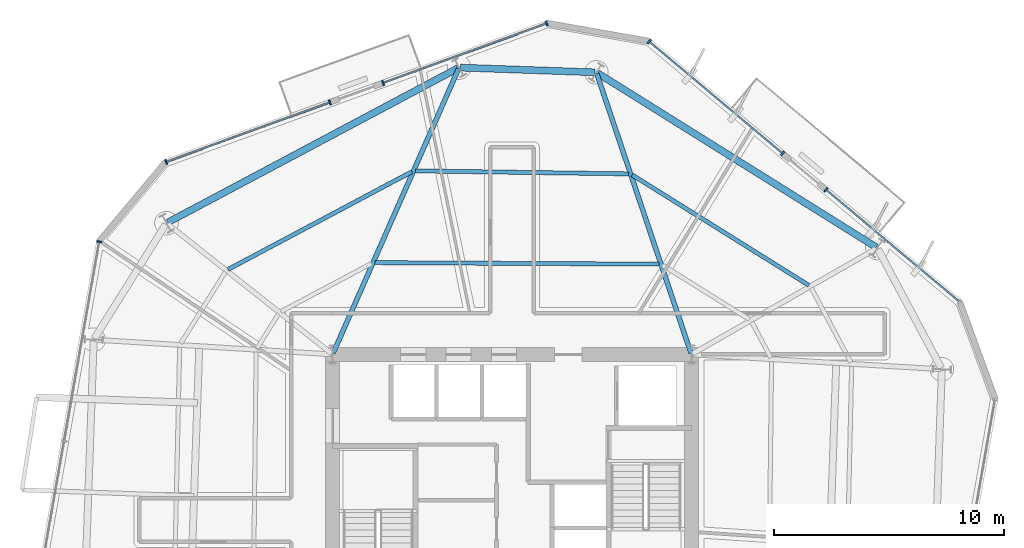
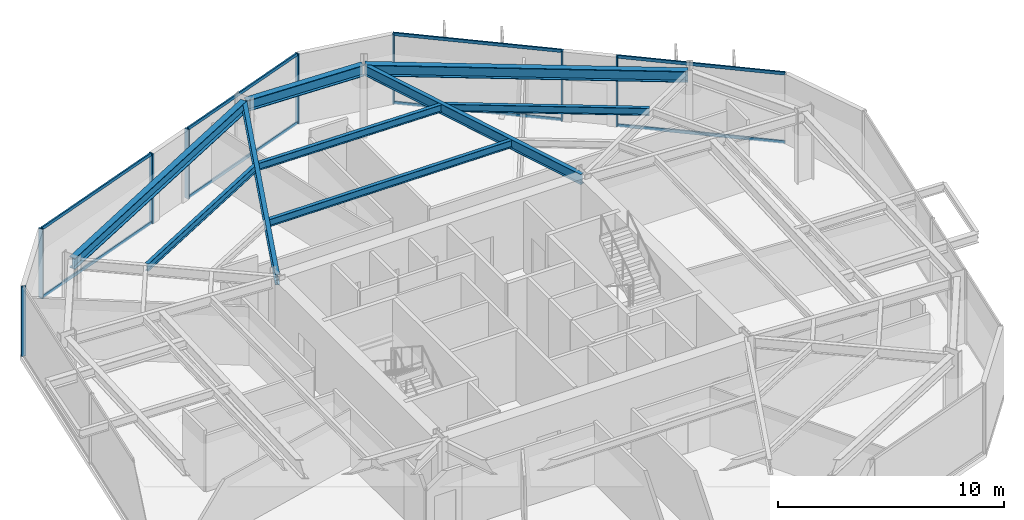
# One storey, part 5 of 13: 16 members, 9 beams, 5 elements without a shape of their own.
"""IFC4 building model written with IfcOpenShell, lengths in metres."""

import ifcopenshell
import ifcopenshell.guid

model = None  # the IFC model being written
_history = None  # IfcOwnerHistory: only IFC2X3 demands one
_inside = {}  # id of a spatial element -> (the spatial element, [elements in it])
_under = {}  # id of a project, library or spatial element -> (it, [spatial elements below it])
_declared = {}  # id of a project -> (the project, [libraries it declares])
_typed = {}  # id of a type object -> (the type object, [elements of that type])
_made_of = {}  # id of a material, layer set ... -> (it, [elements and type objects made of it])


def new_model(schema):
    """Start an empty IFC model of exactly this schema.

    Asked for "IFC4X3", IfcOpenShell would pick the latest addendum, in which some entities
    have other attributes; the version numbers below select the first issue.
    IFC2X3 requires an IfcOwnerHistory on every rooted entity: one is made here for all.
    """
    global model, _history
    if schema == "IFC4X3":
        model = ifcopenshell.file(schema_version=(4, 3, 0, 0))
    else:
        model = ifcopenshell.file(schema=schema)
    _inside.clear()
    _under.clear()
    _declared.clear()
    _typed.clear()
    _made_of.clear()
    _history = None
    if model.schema == "IFC2X3":
        org = make("IfcOrganization", Name="unknown")
        user = make(
            "IfcPersonAndOrganization",
            ThePerson=make("IfcPerson", FamilyName="unknown"),
            TheOrganization=org,
        )
        app = make(
            "IfcApplication",
            ApplicationDeveloper=org,
            Version="unknown",
            ApplicationFullName="unknown",
            ApplicationIdentifier="unknown",
        )
        _history = make(
            "IfcOwnerHistory",
            OwningUser=user,
            OwningApplication=app,
            ChangeAction="ADDED",
            CreationDate=0,
        )
    return model


def make(cls, **values):
    """One entity of the class cls with the attributes given. An attribute that is None is left unset."""
    return model.create_entity(
        cls, **{name: value for name, value in values.items() if value is not None}
    )


def rooted(cls, **values):
    """An entity with a GlobalId (a new one), such as an element, a storey or a relation."""
    return make(cls, GlobalId=ifcopenshell.guid.new(), OwnerHistory=_history, **values)


def si_unit(unit_type, name, prefix=None):
    """IfcSIUnit, for example si_unit("LENGTHUNIT", "METRE", prefix="MILLI")."""
    return make("IfcSIUnit", UnitType=unit_type, Prefix=prefix, Name=name)


def assignment(units):
    """IfcUnitAssignment: the units of a project."""
    return None if units is None else make("IfcUnitAssignment", Units=units)


def point(xyz):
    """IfcCartesianPoint."""
    return None if xyz is None else make("IfcCartesianPoint", Coordinates=xyz)


def direction(xyz):
    """IfcDirection."""
    return None if xyz is None else make("IfcDirection", DirectionRatios=xyz)


def frame(location, z_axis=None, x_axis=None):
    """IfcAxis2Placement3D, a coordinate frame: its origin and axes. An axis left out is left unset."""
    return make(
        "IfcAxis2Placement3D",
        Location=point(location),
        Axis=direction(z_axis),
        RefDirection=direction(x_axis),
    )


def frame_2d(location, x_axis=None):
    """IfcAxis2Placement2D, a coordinate frame in the plane: its origin and x axis."""
    return make(
        "IfcAxis2Placement2D", Location=point(location), RefDirection=direction(x_axis)
    )


def origin():
    """The frame at (0, 0, 0) with its axes left unset."""
    return frame((0.0, 0.0, 0.0))


def origin_2d():
    """The frame at (0, 0) in the plane with its x axis left unset."""
    return frame_2d((0.0, 0.0))


def place(relative_to, where):
    """IfcLocalPlacement: puts the frame where relative to a parent placement (None: the world)."""
    return make(
        "IfcLocalPlacement", PlacementRelTo=relative_to, RelativePlacement=where
    )


def context(
    kind, dimensions, precision=None, world=None, true_north=None, identifier=None
):
    """IfcGeometricRepresentationContext, for example the 3D "Model" context."""
    return make(
        "IfcGeometricRepresentationContext",
        ContextIdentifier=identifier,
        ContextType=kind,
        CoordinateSpaceDimension=dimensions,
        Precision=precision,
        WorldCoordinateSystem=world,
        TrueNorth=true_north,
    )


def subcontext(parent, identifier, kind, view, scale=None):
    """IfcGeometricRepresentationSubContext, for example "Body" below "Model"."""
    return make(
        "IfcGeometricRepresentationSubContext",
        ContextIdentifier=identifier,
        ContextType=kind,
        ParentContext=parent,
        TargetScale=scale,
        TargetView=view,
    )


def project(units=None, contexts=None):
    """IfcProject with its units and contexts."""
    return rooted(
        "IfcProject",
        Name="project",
        RepresentationContexts=contexts,
        UnitsInContext=assignment(units),
    )


def spatial(cls, under=None, at=None, **own):
    """A site, building, storey or space (cls), placed at a placement, below another one or the project."""
    s = rooted(cls, ObjectPlacement=at, **own)
    if under is not None:
        _under.setdefault(under.id(), (under, []))[1].append(s)
    return s


def profile(cls, at=None, kind="AREA", **sizes):
    """A parametric profile (cls). Its sizes go by their IFC names, for example OverallWidth=200.0."""
    return make(cls, ProfileType=kind, Position=at, **sizes)


def rectangle(**sizes):
    """IfcRectangleProfileDef."""
    return profile("IfcRectangleProfileDef", **sizes)


def i_section(**sizes):
    """IfcIShapeProfileDef."""
    return profile("IfcIShapeProfileDef", **sizes)


def extrude(swept, where, along, depth):
    """IfcExtrudedAreaSolid: the profile swept, set in the frame where, extruded along a direction by depth."""
    return make(
        "IfcExtrudedAreaSolid",
        SweptArea=swept,
        Position=where,
        ExtrudedDirection=direction(along),
        Depth=depth,
    )


def shape(context_of_items, identifier, shape_type, items):
    """IfcShapeRepresentation: the items that make up one representation, for example the "Body"."""
    return make(
        "IfcShapeRepresentation",
        ContextOfItems=context_of_items,
        RepresentationIdentifier=identifier,
        RepresentationType=shape_type,
        Items=items,
    )


def material(Name=None, Category=None):
    """IfcMaterial."""
    return make("IfcMaterial", Name=Name, Category=Category)


def layer(
    of_material, thickness, ventilated=None, Name=None, Category=None, Priority=None
):
    """IfcMaterialLayer: one layer of a wall or slab, of a material (None: an air gap)."""
    return make(
        "IfcMaterialLayer",
        Material=of_material,
        LayerThickness=thickness,
        IsVentilated=ventilated,
        Name=Name,
        Category=Category,
        Priority=Priority,
    )


def layer_set(layers, Name=None):
    """IfcMaterialLayerSet."""
    return make("IfcMaterialLayerSet", MaterialLayers=layers, LayerSetName=Name)


def material_profile(
    of_material, cross_section, Name=None, Category=None, Priority=None
):
    """IfcMaterialProfile: a cross section and its material."""
    return make(
        "IfcMaterialProfile",
        Name=Name,
        Material=of_material,
        Profile=cross_section,
        Priority=Priority,
        Category=Category,
    )


def profile_set(profiles, Name=None, composite=None):
    """IfcMaterialProfileSet."""
    return make(
        "IfcMaterialProfileSet",
        Name=Name,
        MaterialProfiles=profiles,
        CompositeProfile=composite,
    )


def made_of(thing, what):
    """Note that an element or type object is made of a material, layer set ...; save() writes the relation."""
    if what is not None:
        _made_of.setdefault(what.id(), (what, []))[1].append(thing)
    return thing


def type_object(cls, material=None, **own):
    """A type object (cls), such as IfcWallType, which elements share."""
    return made_of(rooted(cls, **own), material)


def element(
    cls,
    number,
    at=None,
    inside=None,
    cuts=None,
    type_object=None,
    material=None,
    context=None,
    identifier="Body",
    shape_type=None,
    held_by="IfcProductDefinitionShape",
    body=None,
    shapes=None,
    **own,
):
    """One element of the class cls, such as IfcWall. Its Tag is "e" and its number.

    at: its placement. inside: the storey or other place that contains it. cuts: it is an
    opening in that element (IfcRelVoidsElement). A single representation is given by context,
    identifier, shape_type and body (its items); several are given by shapes. held_by: the class
    of the entity that holds the representations. save() writes the other relations.
    """
    e = rooted(cls, Tag="e%d" % number, ObjectPlacement=at, **own)
    if body is not None:
        shapes = [shape(context, identifier, shape_type, body)]
    if shapes is not None:
        e.Representation = make(held_by, Representations=shapes)
    if inside is not None:
        _inside.setdefault(inside.id(), (inside, []))[1].append(e)
    if cuts is not None:
        rooted(
            "IfcRelVoidsElement", RelatingBuildingElement=cuts, RelatedOpeningElement=e
        )
    if type_object is not None:
        _typed.setdefault(type_object.id(), (type_object, []))[1].append(e)
    return made_of(e, material)


def aggregate(whole, parts):
    """IfcRelAggregates: a whole, such as a stair, and the parts it consists of."""
    return rooted("IfcRelAggregates", RelatingObject=whole, RelatedObjects=parts)


def save(model, path):
    """Write the relations noted so far, then the file.

    IfcRelAggregates (storeys below a building ...), IfcRelContainedInSpatialStructure (elements
    in a storey), IfcRelDefinesByType, IfcRelAssociatesMaterial and IfcRelDeclares: one each for
    every whole, place, type object, material and project.
    """
    for whole, parts in _under.values():
        aggregate(whole, parts)
    for where, things in _inside.values():
        rooted(
            "IfcRelContainedInSpatialStructure",
            RelatedElements=things,
            RelatingStructure=where,
        )
    for kind, things in _typed.values():
        rooted("IfcRelDefinesByType", RelatedObjects=things, RelatingType=kind)
    for what, things in _made_of.values():
        rooted("IfcRelAssociatesMaterial", RelatedObjects=things, RelatingMaterial=what)
    for by, libraries in _declared.values():
        rooted("IfcRelDeclares", RelatingContext=by, RelatedDefinitions=libraries)
    model.write(path)


model = new_model("IFC4")

# Units and contexts
model_context = context("Model", 3, precision=1e-05, world=origin(), true_north=direction((0.0, 1.0)))
body_context = subcontext(model_context, "Body", "Model", "MODEL_VIEW")
ifc_project = project(units=[si_unit("LENGTHUNIT", "METRE"), si_unit("AREAUNIT", "SQUARE_METRE"), si_unit("VOLUMEUNIT", "CUBIC_METRE"), si_unit("PLANEANGLEUNIT", "RADIAN"), si_unit("MASSUNIT", "GRAM", prefix="KILO")], contexts=[model_context])

# Site, building, storey
site_placement = place(None, origin())
site = spatial("IfcSite", under=ifc_project, at=site_placement, CompositionType="ELEMENT")
building_placement = place(site_placement, origin())
building = spatial("IfcBuilding", under=site, at=building_placement, Name="Kranzbogen Civic Tower", CompositionType="ELEMENT")
storey_placement = place(building_placement, frame((0.0, 0.0, 102.39990234375)))
storey = spatial("IfcBuildingStorey", under=building, at=storey_placement, Name="L24", CompositionType="ELEMENT", Elevation=102.39990234375)

# Curtain wall, member
ifc_material_1 = material(Name="Pale Anodised Aluminium", Category="aluminium")
ifc_layer = layer(ifc_material_1, 0.219970703125, Name="Pale Anodised Aluminium")
ifc_layer_set = layer_set([ifc_layer], Name="Pale Anodised Aluminium")
curtain_wall_type = type_object("IfcCurtainWallType", Name="Zone 2 Stick Curtain Wall System CW-03", PredefinedType="USERDEFINED", material=ifc_layer_set)
curtain_wall_1_placement = place(storey_placement, origin())
curtain_wall_1 = element("IfcCurtainWall", 1, at=curtain_wall_1_placement, inside=storey, type_object=curtain_wall_type, Name="L24 curtain wall CW-L24-F1-S1", ObjectType="STICK CURTAIN WALL", PredefinedType="USERDEFINED")
ifc_material_profile_1 = material_profile(ifc_material_1, rectangle(XDim=0.074951171875, YDim=0.219970703125, at=origin_2d()), Name="ALU-M 75x220")
ifc_profile_set_1 = profile_set([ifc_material_profile_1], Name="Pale Anodised Aluminium")
member_type_1 = type_object("IfcMemberType", Name="Curtain Wall Mullion ALU-M 75x220", PredefinedType="MULLION", material=ifc_profile_set_1)
member_1_placement = place(storey_placement, frame((38.65087890625, 39.355712890625, 0.0), z_axis=(0.0, 0.0, 1.0), x_axis=(-0.76610208204, 0.64271891204, 0.0)))
member_1 = element("IfcMember", 2, at=member_1_placement, type_object=member_type_1, Name="CW-03 mullion 2", PredefinedType="MULLION", context=body_context, shape_type="SweptSolid", body=[
    extrude(rectangle(XDim=0.074951171875, YDim=0.219970703125, at=origin_2d()), origin(), (0.0, 0.0, 1.0), 3.760009765625),
])

# Curtain wall, members
curtain_wall_2_placement = place(storey_placement, origin())
curtain_wall_2 = element("IfcCurtainWall", 3, at=curtain_wall_2_placement, inside=storey, type_object=curtain_wall_type, Name="L24 curtain wall CW-L24-F1-S2", ObjectType="STICK CURTAIN WALL", PredefinedType="USERDEFINED")
member_2_placement = place(storey_placement, frame((36.76611328125, 40.937255859375, 0.0), z_axis=(0.0, 0.0, 1.0), x_axis=(-0.766058348391, 0.642771037665, 0.0)))
member_2 = element("IfcMember", 4, at=member_2_placement, type_object=member_type_1, Name="CW-03 mullion 1", PredefinedType="MULLION", context=body_context, shape_type="SweptSolid", body=[
    extrude(rectangle(XDim=0.074951171875, YDim=0.219970703125, at=origin_2d()), origin(), (0.0, 0.0, 1.0), 3.760009765625),
])
member_3_placement = place(storey_placement, frame((30.965087890625, 45.8046875, 0.0), z_axis=(0.0, 0.0, 1.0), x_axis=(-0.766058348391, 0.642771037665, 0.0)))
member_3 = element("IfcMember", 5, at=member_3_placement, type_object=member_type_1, Name="CW-03 mullion 2", PredefinedType="MULLION", context=body_context, shape_type="SweptSolid", body=[
    extrude(rectangle(XDim=0.074951171875, YDim=0.219970703125, at=origin_2d()), origin(), (0.0, 0.0, 1.0), 3.760009765625),
])

curtain_wall_3_placement = place(storey_placement, origin())
curtain_wall_3 = element("IfcCurtainWall", 6, at=curtain_wall_3_placement, inside=storey, type_object=curtain_wall_type, Name="L24 curtain wall CW-L24-F2-S1", ObjectType="STICK CURTAIN WALL", PredefinedType="USERDEFINED")
member_4_placement = place(storey_placement, frame((26.5107421875, 46.5908203125, 0.0), z_axis=(0.0, 0.0, 1.0), x_axis=(-0.93969777606, -0.342005978993, 0.0)))
member_4 = element("IfcMember", 7, at=member_4_placement, type_object=member_type_1, Name="CW-03 mullion 1", PredefinedType="MULLION", context=body_context, shape_type="SweptSolid", body=[
    extrude(rectangle(XDim=0.074951171875, YDim=0.219970703125, at=origin_2d()), origin(), (0.0, 0.0, 1.0), 3.760009765625),
])
member_5_placement = place(storey_placement, frame((19.393310546875, 44.000244140625, 0.0), z_axis=(0.0, 0.0, 1.0), x_axis=(-0.93969777606, -0.342005978993, 0.0)))
member_5 = element("IfcMember", 8, at=member_5_placement, type_object=member_type_1, Name="CW-03 mullion 2", PredefinedType="MULLION", context=body_context, shape_type="SweptSolid", body=[
    extrude(rectangle(XDim=0.074951171875, YDim=0.219970703125, at=origin_2d()), origin(), (0.0, 0.0, 1.0), 3.760009765625),
])

curtain_wall_4_placement = place(storey_placement, origin())
curtain_wall_4 = element("IfcCurtainWall", 9, at=curtain_wall_4_placement, inside=storey, type_object=curtain_wall_type, Name="L24 curtain wall CW-L24-F2-S2", ObjectType="STICK CURTAIN WALL", PredefinedType="USERDEFINED")
member_6_placement = place(storey_placement, frame((17.081787109375, 43.15869140625, 0.0), z_axis=(0.0, 0.0, 1.0), x_axis=(-0.93969777606, -0.342005978993, 0.0)))
member_6 = element("IfcMember", 10, at=member_6_placement, type_object=member_type_1, Name="CW-03 mullion 1", PredefinedType="MULLION", context=body_context, shape_type="SweptSolid", body=[
    extrude(rectangle(XDim=0.074951171875, YDim=0.219970703125, at=origin_2d()), origin(), (0.0, 0.0, 1.0), 3.760009765625),
])
member_7_placement = place(storey_placement, frame((9.964111328125, 40.568359375, 0.0), z_axis=(0.0, 0.0, 1.0), x_axis=(-0.93969777606, -0.342005978993, 0.0)))
member_7 = element("IfcMember", 11, at=member_7_placement, type_object=member_type_1, Name="CW-03 mullion 2", PredefinedType="MULLION", context=body_context, shape_type="SweptSolid", body=[
    extrude(rectangle(XDim=0.074951171875, YDim=0.219970703125, at=origin_2d()), origin(), (0.0, 0.0, 1.0), 3.760009765625),
])

# Curtain wall, member
curtain_wall_5_placement = place(storey_placement, origin())
curtain_wall_5 = element("IfcCurtainWall", 12, at=curtain_wall_5_placement, inside=storey, type_object=curtain_wall_type, Name="L24 curtain wall CW-L24-F3", ObjectType="STICK CURTAIN WALL", PredefinedType="USERDEFINED")
member_8_placement = place(storey_placement, frame((7.056884765625, 37.1044921875, 0.0), z_axis=(0.0, 0.0, 1.0), x_axis=(-0.173633588769, -0.984810325317, 0.0)))
member_8 = element("IfcMember", 13, at=member_8_placement, type_object=member_type_1, Name="CW-03 mullion 1", PredefinedType="MULLION", context=body_context, shape_type="SweptSolid", body=[
    extrude(rectangle(XDim=0.074951171875, YDim=0.219970703125, at=origin_2d()), origin(), (0.0, 0.0, 1.0), 3.760009765625),
])
aggregate(curtain_wall_5, [member_8])

# Member
ifc_material_profile_2 = material_profile(ifc_material_1, rectangle(XDim=0.074951171875, YDim=0.1650390625, at=origin_2d()), Name="ALU-T 75x165")
ifc_profile_set_2 = profile_set([ifc_material_profile_2], Name="Pale Anodised Aluminium")
member_type_2 = type_object("IfcMemberType", Name="Curtain Wall Transom ALU-T 75x165", PredefinedType="USERDEFINED", material=ifc_profile_set_2)
member_9_placement = place(storey_placement, frame((44.43115234375, 34.506591796875, 0.030029296875), z_axis=(-0.766105363989, 0.642715000033, 0.0), x_axis=(-0.642715000033, -0.766105363989, 0.0)))
member_9 = element("IfcMember", 14, at=member_9_placement, type_object=member_type_2, Name="CW-03 transom 1.1", ObjectType="TRANSOM", PredefinedType="USERDEFINED", context=body_context, shape_type="SweptSolid", body=[
    extrude(rectangle(XDim=0.074951171875, YDim=0.1650390625, at=origin_2d()), origin(), (0.0, 0.0, 1.0), 7.5146484375),
])

member_10_placement = place(storey_placement, frame((44.43115234375, 34.506591796875, 3.72998046875), z_axis=(-0.766105363989, 0.642715000033, 0.0), x_axis=(-0.642715000033, -0.766105363989, 0.0)))
member_10 = element("IfcMember", 15, at=member_10_placement, type_object=member_type_2, Name="CW-03 transom 1.2", ObjectType="TRANSOM", PredefinedType="USERDEFINED", context=body_context, shape_type="SweptSolid", body=[
    extrude(rectangle(XDim=0.074951171875, YDim=0.1650390625, at=origin_2d()), origin(), (0.0, 0.0, 1.0), 7.5146484375),
])

aggregate(curtain_wall_1, [member_1, member_9, member_10])

member_11_placement = place(storey_placement, frame((36.742919921875, 40.95654296875, 0.030029296875), z_axis=(-0.766048547781, 0.642782717909, 0.0), x_axis=(-0.642782717909, -0.766048547781, 0.0)))
member_11 = element("IfcMember", 16, at=member_11_placement, type_object=member_type_2, Name="CW-03 transom 1.1", ObjectType="TRANSOM", PredefinedType="USERDEFINED", context=body_context, shape_type="SweptSolid", body=[
    extrude(rectangle(XDim=0.074951171875, YDim=0.1650390625, at=origin_2d()), origin(), (0.0, 0.0, 1.0), 7.512451171875),
])

member_12_placement = place(storey_placement, frame((36.742919921875, 40.95654296875, 3.72998046875), z_axis=(-0.766048547781, 0.642782717909, 0.0), x_axis=(-0.642782717909, -0.766048547781, 0.0)))
member_12 = element("IfcMember", 17, at=member_12_placement, type_object=member_type_2, Name="CW-03 transom 1.2", ObjectType="TRANSOM", PredefinedType="USERDEFINED", context=body_context, shape_type="SweptSolid", body=[
    extrude(rectangle(XDim=0.074951171875, YDim=0.1650390625, at=origin_2d()), origin(), (0.0, 0.0, 1.0), 7.512451171875),
])

aggregate(curtain_wall_2, [member_2, member_3, member_11, member_12])

member_13_placement = place(storey_placement, frame((26.482666015625, 46.58056640625, 0.030029296875), z_axis=(-0.939693780729, -0.342016956392, 0.0), x_axis=(0.342016956392, -0.939693780729, 0.0)))
member_13 = element("IfcMember", 18, at=member_13_placement, type_object=member_type_2, Name="CW-03 transom 1.1", ObjectType="TRANSOM", PredefinedType="USERDEFINED", context=body_context, shape_type="SweptSolid", body=[
    extrude(rectangle(XDim=0.074951171875, YDim=0.1650390625, at=origin_2d()), origin(), (0.0, 0.0, 1.0), 7.514404296875),
])

member_14_placement = place(storey_placement, frame((26.482666015625, 46.58056640625, 3.72998046875), z_axis=(-0.939693780729, -0.342016956392, 0.0), x_axis=(0.342016956392, -0.939693780729, 0.0)))
member_14 = element("IfcMember", 19, at=member_14_placement, type_object=member_type_2, Name="CW-03 transom 1.2", ObjectType="TRANSOM", PredefinedType="USERDEFINED", context=body_context, shape_type="SweptSolid", body=[
    extrude(rectangle(XDim=0.074951171875, YDim=0.1650390625, at=origin_2d()), origin(), (0.0, 0.0, 1.0), 7.514404296875),
])

aggregate(curtain_wall_3, [member_4, member_5, member_13, member_14])

member_15_placement = place(storey_placement, frame((17.0537109375, 43.1484375, 0.030029296875), z_axis=(-0.939704222246, -0.341988266894, 0.0), x_axis=(0.341988266894, -0.939704222246, 0.0)))
member_15 = element("IfcMember", 20, at=member_15_placement, type_object=member_type_2, Name="CW-03 transom 1.1", ObjectType="TRANSOM", PredefinedType="USERDEFINED", context=body_context, shape_type="SweptSolid", body=[
    extrude(rectangle(XDim=0.074951171875, YDim=0.1650390625, at=origin_2d()), origin(), (0.0, 0.0, 1.0), 7.514404296875),
])

member_16_placement = place(storey_placement, frame((17.0537109375, 43.1484375, 3.72998046875), z_axis=(-0.939704222246, -0.341988266894, 0.0), x_axis=(0.341988266894, -0.939704222246, 0.0)))
member_16 = element("IfcMember", 21, at=member_16_placement, type_object=member_type_2, Name="CW-03 transom 1.2", ObjectType="TRANSOM", PredefinedType="USERDEFINED", context=body_context, shape_type="SweptSolid", body=[
    extrude(rectangle(XDim=0.074951171875, YDim=0.1650390625, at=origin_2d()), origin(), (0.0, 0.0, 1.0), 7.514404296875),
])

aggregate(curtain_wall_4, [member_6, member_7, member_15, member_16])

# Beams
ifc_material_2 = material(Name="Steel S355", Category="steel")
ifc_material_profile_3 = material_profile(ifc_material_2, i_section(OverallWidth=0.300048828125, OverallDepth=0.60009765625, WebThickness=0.015380859375, FlangeThickness=0.030029296875, at=origin_2d()), Name="HEB 600")
ifc_profile_set_3 = profile_set([ifc_material_profile_3], Name="Steel S355")
beam_type_1 = type_object("IfcBeamType", Name="Perimeter Tube Spandrel Beam HEB 600", PredefinedType="SPANDREL", material=ifc_profile_set_3)
beam_1_placement = place(storey_placement, frame((40.8349609375, 36.861083984375, 3.460205078125), z_axis=(-0.848051101349, 0.52991445489, 0.0), x_axis=(-0.52991445489, -0.848051101349, 0.0)))
element("IfcBeam", 22, at=beam_1_placement, inside=storey, type_object=beam_type_1, Name="L24 perimeter spandrel beam 08", PredefinedType="SPANDREL", context=body_context, shape_type="SweptSolid", body=[
    extrude(i_section(OverallWidth=0.300048828125, OverallDepth=0.60009765625, WebThickness=0.015380859375, FlangeThickness=0.030029296875, at=origin_2d()), origin(), (0.0, 0.0, 1.0), 14.286865234375),
])
beam_2_placement = place(storey_placement, frame((28.60791015625, 44.466064453125, 3.460205078125), z_axis=(-0.999393148233, 0.03483296234, 0.0), x_axis=(-0.03483296234, -0.999393148233, 0.0)))
element("IfcBeam", 23, at=beam_2_placement, inside=storey, type_object=beam_type_1, Name="L24 perimeter spandrel beam 09", PredefinedType="SPANDREL", context=body_context, shape_type="SweptSolid", body=[
    extrude(i_section(OverallWidth=0.300048828125, OverallDepth=0.60009765625, WebThickness=0.015380859375, FlangeThickness=0.030029296875, at=origin_2d()), origin(), (0.0, 0.0, 1.0), 5.8525390625),
])
beam_3_placement = place(storey_placement, frame((22.64599609375, 44.64404296875, 3.460205078125), z_axis=(-0.882948194046, -0.469470432116, 0.0), x_axis=(0.469470432116, -0.882948194046, 0.0)))
element("IfcBeam", 24, at=beam_3_placement, inside=storey, type_object=beam_type_1, Name="L24 perimeter spandrel beam 10", PredefinedType="SPANDREL", context=body_context, shape_type="SweptSolid", body=[
    extrude(i_section(OverallWidth=0.300048828125, OverallDepth=0.60009765625, WebThickness=0.015380859375, FlangeThickness=0.030029296875, at=origin_2d()), origin(), (0.0, 0.0, 1.0), 14.28857421875),
])
ifc_material_profile_4 = material_profile(ifc_material_2, i_section(OverallWidth=0.2099609375, OverallDepth=0.550048828125, WebThickness=0.010986328125, FlangeThickness=0.01708984375, at=origin_2d()), Name="IPE 550")
ifc_profile_set_4 = profile_set([ifc_material_profile_4], Name="Steel S355")
beam_type_2 = type_object("IfcBeamType", Name="Radial Tower Floor Girder IPE 550", PredefinedType="BEAM", material=ifc_profile_set_4)
beam_4_placement = place(storey_placement, frame((28.68701171875, 44.406982421875, 3.485107421875), z_axis=(0.319316617377, -0.947648087566, 0.0), x_axis=(0.947648087566, 0.319316617377, 0.0)))
element("IfcBeam", 25, at=beam_4_placement, inside=storey, type_object=beam_type_2, Name="L24 radial floor girder 09", PredefinedType="BEAM", context=body_context, shape_type="SweptSolid", body=[
    extrude(i_section(OverallWidth=0.2099609375, OverallDepth=0.550048828125, WebThickness=0.010986328125, FlangeThickness=0.01708984375, at=origin_2d()), origin(), (0.0, 0.0, 1.0), 12.821044921875),
])
beam_5_placement = place(storey_placement, frame((22.675048828125, 44.616943359375, 3.485107421875), z_axis=(-0.403459127705, -0.914997667905, 0.0), x_axis=(0.914997667905, -0.403459127705, 0.0)))
element("IfcBeam", 26, at=beam_5_placement, inside=storey, type_object=beam_type_2, Name="L24 radial floor girder 10", PredefinedType="BEAM", context=body_context, shape_type="SweptSolid", body=[
    extrude(i_section(OverallWidth=0.2099609375, OverallDepth=0.550048828125, WebThickness=0.010986328125, FlangeThickness=0.01708984375, at=origin_2d()), origin(), (0.0, 0.0, 1.0), 13.510498046875),
])
ifc_material_profile_5 = material_profile(ifc_material_2, i_section(OverallWidth=0.179931640625, OverallDepth=0.39990234375, WebThickness=0.008544921875, FlangeThickness=0.013427734375, at=origin_2d()), Name="IPE 400")
ifc_profile_set_5 = profile_set([ifc_material_profile_5], Name="Steel S355")
beam_type_3 = type_object("IfcBeamType", Name="Secondary Composite Floor Joist IPE 400", PredefinedType="JOIST", material=ifc_profile_set_5)
beam_6_placement = place(storey_placement, frame((37.906982421875, 35.205078125, 3.56005859375), z_axis=(-0.848025549308, 0.529955345026, 0.0), x_axis=(-0.529955345026, -0.848025549308, 0.0)))
element("IfcBeam", 27, at=beam_6_placement, inside=storey, type_object=beam_type_3, Name="L24 secondary floor joist 1.08", PredefinedType="JOIST", context=body_context, shape_type="SweptSolid", body=[
    extrude(i_section(OverallWidth=0.179931640625, OverallDepth=0.39990234375, WebThickness=0.008544921875, FlangeThickness=0.013427734375, at=origin_2d()), origin(), (0.0, 0.0, 1.0), 9.06103515625),
])
beam_7_placement = place(storey_placement, frame((30.075927734375, 40.050048828125, 3.56005859375), z_axis=(-0.999900525148, 0.014104602386, 0.0), x_axis=(-0.014104602386, -0.999900525148, 0.0)))
element("IfcBeam", 28, at=beam_7_placement, inside=storey, type_object=beam_type_3, Name="L24 secondary floor joist 1.09", PredefinedType="JOIST", context=body_context, shape_type="SweptSolid", body=[
    extrude(i_section(OverallWidth=0.179931640625, OverallDepth=0.39990234375, WebThickness=0.008544921875, FlangeThickness=0.013427734375, at=origin_2d()), origin(), (0.0, 0.0, 1.0), 9.27783203125),
])
beam_8_placement = place(storey_placement, frame((31.39794921875, 36.125, 3.56005859375), z_axis=(-0.999985774147, 0.005333995002, 0.0), x_axis=(-0.005333995002, -0.999985774147, 0.0)))
element("IfcBeam", 29, at=beam_8_placement, inside=storey, type_object=beam_type_3, Name="L24 secondary floor joist 2.09", PredefinedType="JOIST", context=body_context, shape_type="SweptSolid", body=[
    extrude(i_section(OverallWidth=0.179931640625, OverallDepth=0.39990234375, WebThickness=0.008544921875, FlangeThickness=0.013427734375, at=origin_2d()), origin(), (0.0, 0.0, 1.0), 12.358154296875),
])
beam_9_placement = place(storey_placement, frame((20.64892578125, 40.14501953125, 3.56005859375), z_axis=(-0.882960787661, -0.469446746131, 0.0), x_axis=(0.469446746131, -0.882960787661, 0.0)))
element("IfcBeam", 30, at=beam_9_placement, inside=storey, type_object=beam_type_3, Name="L24 secondary floor joist 1.10", PredefinedType="JOIST", context=body_context, shape_type="SweptSolid", body=[
    extrude(i_section(OverallWidth=0.179931640625, OverallDepth=0.39990234375, WebThickness=0.008544921875, FlangeThickness=0.013427734375, at=origin_2d()), origin(), (0.0, 0.0, 1.0), 9.0615234375),
])

save(model, "model.ifc")
